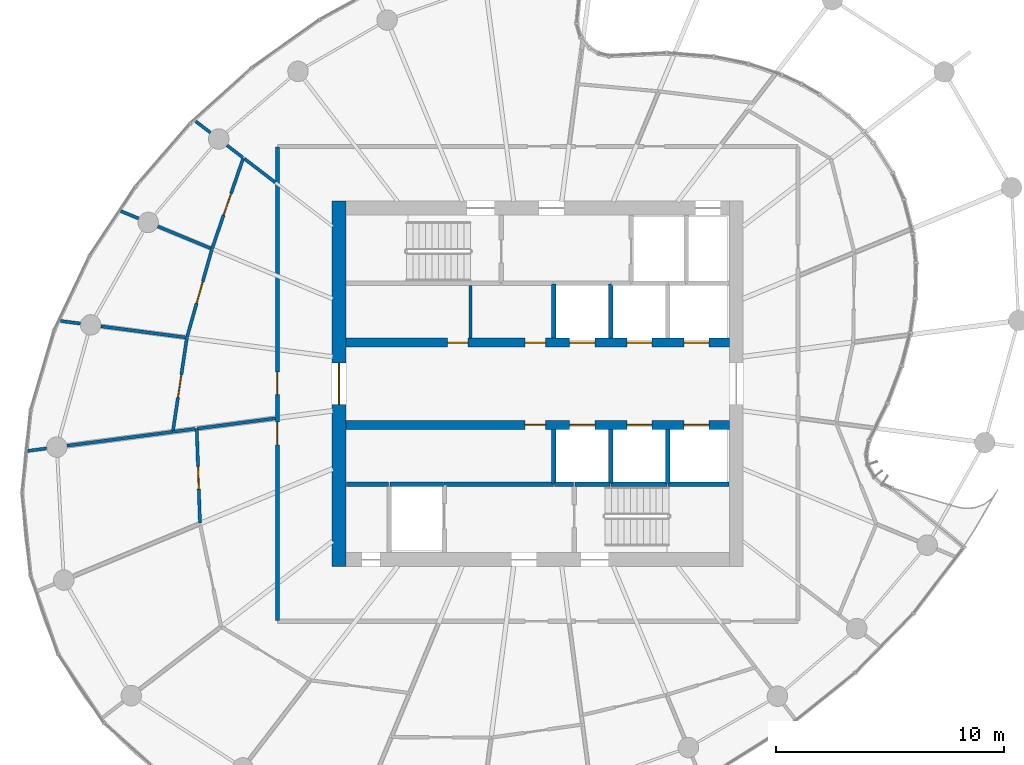
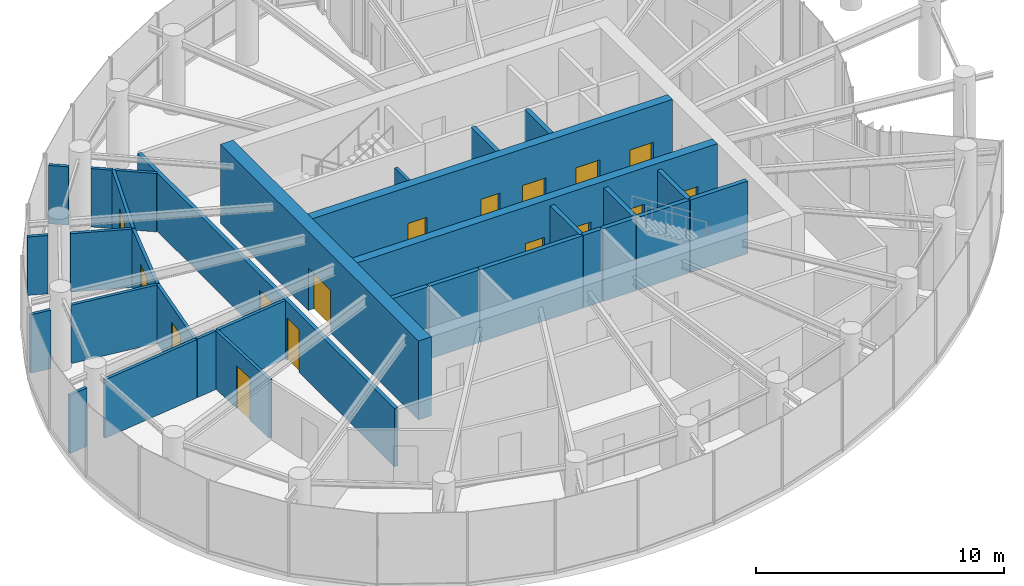
# One storey, part 13 of 17: 32 walls, 16 doors, 16 openings.
"""IFC4 building model written with IfcOpenShell, lengths in metres."""

import ifcopenshell
import ifcopenshell.guid

model = None  # the IFC model being written
_history = None  # IfcOwnerHistory: only IFC2X3 demands one
_inside = {}  # id of a spatial element -> (the spatial element, [elements in it])
_under = {}  # id of a project, library or spatial element -> (it, [spatial elements below it])
_declared = {}  # id of a project -> (the project, [libraries it declares])
_typed = {}  # id of a type object -> (the type object, [elements of that type])
_made_of = {}  # id of a material, layer set ... -> (it, [elements and type objects made of it])


def new_model(schema):
    """Start an empty IFC model of exactly this schema.

    Asked for "IFC4X3", IfcOpenShell would pick the latest addendum, in which some entities
    have other attributes; the version numbers below select the first issue.
    IFC2X3 requires an IfcOwnerHistory on every rooted entity: one is made here for all.
    """
    global model, _history
    if schema == "IFC4X3":
        model = ifcopenshell.file(schema_version=(4, 3, 0, 0))
    else:
        model = ifcopenshell.file(schema=schema)
    _inside.clear()
    _under.clear()
    _declared.clear()
    _typed.clear()
    _made_of.clear()
    _history = None
    if model.schema == "IFC2X3":
        org = make("IfcOrganization", Name="unknown")
        user = make(
            "IfcPersonAndOrganization",
            ThePerson=make("IfcPerson", FamilyName="unknown"),
            TheOrganization=org,
        )
        app = make(
            "IfcApplication",
            ApplicationDeveloper=org,
            Version="unknown",
            ApplicationFullName="unknown",
            ApplicationIdentifier="unknown",
        )
        _history = make(
            "IfcOwnerHistory",
            OwningUser=user,
            OwningApplication=app,
            ChangeAction="ADDED",
            CreationDate=0,
        )
    return model


def make(cls, **values):
    """One entity of the class cls with the attributes given. An attribute that is None is left unset."""
    return model.create_entity(
        cls, **{name: value for name, value in values.items() if value is not None}
    )


def rooted(cls, **values):
    """An entity with a GlobalId (a new one), such as an element, a storey or a relation."""
    return make(cls, GlobalId=ifcopenshell.guid.new(), OwnerHistory=_history, **values)


def si_unit(unit_type, name, prefix=None):
    """IfcSIUnit, for example si_unit("LENGTHUNIT", "METRE", prefix="MILLI")."""
    return make("IfcSIUnit", UnitType=unit_type, Prefix=prefix, Name=name)


def assignment(units):
    """IfcUnitAssignment: the units of a project."""
    return None if units is None else make("IfcUnitAssignment", Units=units)


def point(xyz):
    """IfcCartesianPoint."""
    return None if xyz is None else make("IfcCartesianPoint", Coordinates=xyz)


def direction(xyz):
    """IfcDirection."""
    return None if xyz is None else make("IfcDirection", DirectionRatios=xyz)


def frame(location, z_axis=None, x_axis=None):
    """IfcAxis2Placement3D, a coordinate frame: its origin and axes. An axis left out is left unset."""
    return make(
        "IfcAxis2Placement3D",
        Location=point(location),
        Axis=direction(z_axis),
        RefDirection=direction(x_axis),
    )


def frame_2d(location, x_axis=None):
    """IfcAxis2Placement2D, a coordinate frame in the plane: its origin and x axis."""
    return make(
        "IfcAxis2Placement2D", Location=point(location), RefDirection=direction(x_axis)
    )


def origin():
    """The frame at (0, 0, 0) with its axes left unset."""
    return frame((0.0, 0.0, 0.0))


def place(relative_to, where):
    """IfcLocalPlacement: puts the frame where relative to a parent placement (None: the world)."""
    return make(
        "IfcLocalPlacement", PlacementRelTo=relative_to, RelativePlacement=where
    )


def context(
    kind, dimensions, precision=None, world=None, true_north=None, identifier=None
):
    """IfcGeometricRepresentationContext, for example the 3D "Model" context."""
    return make(
        "IfcGeometricRepresentationContext",
        ContextIdentifier=identifier,
        ContextType=kind,
        CoordinateSpaceDimension=dimensions,
        Precision=precision,
        WorldCoordinateSystem=world,
        TrueNorth=true_north,
    )


def subcontext(parent, identifier, kind, view, scale=None):
    """IfcGeometricRepresentationSubContext, for example "Body" below "Model"."""
    return make(
        "IfcGeometricRepresentationSubContext",
        ContextIdentifier=identifier,
        ContextType=kind,
        ParentContext=parent,
        TargetScale=scale,
        TargetView=view,
    )


def project(units=None, contexts=None):
    """IfcProject with its units and contexts."""
    return rooted(
        "IfcProject",
        Name="project",
        RepresentationContexts=contexts,
        UnitsInContext=assignment(units),
    )


def spatial(cls, under=None, at=None, **own):
    """A site, building, storey or space (cls), placed at a placement, below another one or the project."""
    s = rooted(cls, ObjectPlacement=at, **own)
    if under is not None:
        _under.setdefault(under.id(), (under, []))[1].append(s)
    return s


def profile(cls, at=None, kind="AREA", **sizes):
    """A parametric profile (cls). Its sizes go by their IFC names, for example OverallWidth=200.0."""
    return make(cls, ProfileType=kind, Position=at, **sizes)


def rectangle(**sizes):
    """IfcRectangleProfileDef."""
    return profile("IfcRectangleProfileDef", **sizes)


def extrude(swept, where, along, depth):
    """IfcExtrudedAreaSolid: the profile swept, set in the frame where, extruded along a direction by depth."""
    return make(
        "IfcExtrudedAreaSolid",
        SweptArea=swept,
        Position=where,
        ExtrudedDirection=direction(along),
        Depth=depth,
    )


def shape(context_of_items, identifier, shape_type, items):
    """IfcShapeRepresentation: the items that make up one representation, for example the "Body"."""
    return make(
        "IfcShapeRepresentation",
        ContextOfItems=context_of_items,
        RepresentationIdentifier=identifier,
        RepresentationType=shape_type,
        Items=items,
    )


def source(mapping_origin, context_of_items, identifier, shape_type, items):
    """IfcRepresentationMap: a shape defined once, which mapped items show again and again."""
    return make(
        "IfcRepresentationMap",
        MappingOrigin=mapping_origin,
        MappedRepresentation=shape(context_of_items, identifier, shape_type, items),
    )


def transform(
    local_origin,
    x_axis=None,
    y_axis=None,
    z_axis=None,
    scale=None,
    scale2=None,
    scale3=None,
    uniform=True,
):
    """IfcCartesianTransformationOperator3D, or its non-uniform kind. x_axis, y_axis, z_axis: its Axis1, 2, 3."""
    if uniform:
        return make(
            "IfcCartesianTransformationOperator3D",
            Axis1=direction(x_axis),
            Axis2=direction(y_axis),
            LocalOrigin=point(local_origin),
            Scale=scale,
            Axis3=direction(z_axis),
        )
    return make(
        "IfcCartesianTransformationOperator3DnonUniform",
        Axis1=direction(x_axis),
        Axis2=direction(y_axis),
        LocalOrigin=point(local_origin),
        Scale=scale,
        Axis3=direction(z_axis),
        Scale2=scale2,
        Scale3=scale3,
    )


def mapped(mapping_source, mapping_target):
    """IfcMappedItem: shows the shape of a source again, moved by a transform."""
    return make(
        "IfcMappedItem", MappingSource=mapping_source, MappingTarget=mapping_target
    )


def material(Name=None, Category=None):
    """IfcMaterial."""
    return make("IfcMaterial", Name=Name, Category=Category)


def layer(
    of_material, thickness, ventilated=None, Name=None, Category=None, Priority=None
):
    """IfcMaterialLayer: one layer of a wall or slab, of a material (None: an air gap)."""
    return make(
        "IfcMaterialLayer",
        Material=of_material,
        LayerThickness=thickness,
        IsVentilated=ventilated,
        Name=Name,
        Category=Category,
        Priority=Priority,
    )


def layer_set(layers, Name=None):
    """IfcMaterialLayerSet."""
    return make("IfcMaterialLayerSet", MaterialLayers=layers, LayerSetName=Name)


def made_of(thing, what):
    """Note that an element or type object is made of a material, layer set ...; save() writes the relation."""
    if what is not None:
        _made_of.setdefault(what.id(), (what, []))[1].append(thing)
    return thing


def type_object(cls, material=None, **own):
    """A type object (cls), such as IfcWallType, which elements share."""
    return made_of(rooted(cls, **own), material)


def element(
    cls,
    number,
    at=None,
    inside=None,
    cuts=None,
    type_object=None,
    material=None,
    context=None,
    identifier="Body",
    shape_type=None,
    held_by="IfcProductDefinitionShape",
    body=None,
    shapes=None,
    **own,
):
    """One element of the class cls, such as IfcWall. Its Tag is "e" and its number.

    at: its placement. inside: the storey or other place that contains it. cuts: it is an
    opening in that element (IfcRelVoidsElement). A single representation is given by context,
    identifier, shape_type and body (its items); several are given by shapes. held_by: the class
    of the entity that holds the representations. save() writes the other relations.
    """
    e = rooted(cls, Tag="e%d" % number, ObjectPlacement=at, **own)
    if body is not None:
        shapes = [shape(context, identifier, shape_type, body)]
    if shapes is not None:
        e.Representation = make(held_by, Representations=shapes)
    if inside is not None:
        _inside.setdefault(inside.id(), (inside, []))[1].append(e)
    if cuts is not None:
        rooted(
            "IfcRelVoidsElement", RelatingBuildingElement=cuts, RelatedOpeningElement=e
        )
    if type_object is not None:
        _typed.setdefault(type_object.id(), (type_object, []))[1].append(e)
    return made_of(e, material)


def fill(opening, filler):
    """IfcRelFillsElement: the door or window that sits in an opening."""
    return rooted(
        "IfcRelFillsElement",
        RelatingOpeningElement=opening,
        RelatedBuildingElement=filler,
    )


def aggregate(whole, parts):
    """IfcRelAggregates: a whole, such as a stair, and the parts it consists of."""
    return rooted("IfcRelAggregates", RelatingObject=whole, RelatedObjects=parts)


def save(model, path):
    """Write the relations noted so far, then the file.

    IfcRelAggregates (storeys below a building ...), IfcRelContainedInSpatialStructure (elements
    in a storey), IfcRelDefinesByType, IfcRelAssociatesMaterial and IfcRelDeclares: one each for
    every whole, place, type object, material and project.
    """
    for whole, parts in _under.values():
        aggregate(whole, parts)
    for where, things in _inside.values():
        rooted(
            "IfcRelContainedInSpatialStructure",
            RelatedElements=things,
            RelatingStructure=where,
        )
    for kind, things in _typed.values():
        rooted("IfcRelDefinesByType", RelatedObjects=things, RelatingType=kind)
    for what, things in _made_of.values():
        rooted("IfcRelAssociatesMaterial", RelatedObjects=things, RelatingMaterial=what)
    for by, libraries in _declared.values():
        rooted("IfcRelDeclares", RelatingContext=by, RelatedDefinitions=libraries)
    model.write(path)


model = new_model("IFC4")

# Units and contexts
model_context = context("Model", 3, precision=1e-05, world=origin(), true_north=direction((0.0, 1.0)))
body_context = subcontext(model_context, "Body", "Model", "MODEL_VIEW")
ifc_project = project(units=[si_unit("LENGTHUNIT", "METRE"), si_unit("AREAUNIT", "SQUARE_METRE"), si_unit("VOLUMEUNIT", "CUBIC_METRE"), si_unit("PLANEANGLEUNIT", "RADIAN"), si_unit("MASSUNIT", "GRAM", prefix="KILO")], contexts=[model_context])

# Site, building, storey
site_placement = place(None, origin())
site = spatial("IfcSite", under=ifc_project, at=site_placement, CompositionType="ELEMENT")
building_placement = place(site_placement, origin())
building = spatial("IfcBuilding", under=site, at=building_placement, Name="Spindrift Exchange Tower", CompositionType="ELEMENT")
storey_placement = place(building_placement, frame((0.0, 0.0, 187.699951171875)))
storey = spatial("IfcBuildingStorey", under=building, at=storey_placement, Name="L45", CompositionType="ELEMENT", Elevation=187.699951171875)

# Wall, opening, door
ifc_material_1 = material(Name="Concrete 50 MPa", Category="concrete")
ifc_layer_1 = layer(ifc_material_1, 0.60009765625)
ifc_layer_set_1 = layer_set([ifc_layer_1], Name="RC Core Wall 600 Concrete 50 MPa")
wall_type_1 = type_object("IfcWallType", Name="RC Core Wall 600 Concrete 50 MPa", PredefinedType="SHEAR", material=ifc_layer_set_1)
wall_1_placement = place(storey_placement, frame((43.300048828125, 56.0, 0.0), z_axis=(0.0, 0.0, 1.0), x_axis=(0.0, -1.0, 0.0)))
wall_1 = element("IfcWall", 1, at=wall_1_placement, inside=storey, type_object=wall_type_1, Name="Core wall W L45", PredefinedType="SHEAR", context=body_context, shape_type="SweptSolid", body=[
    extrude(rectangle(XDim=16.0, YDim=0.60009765625, at=frame_2d((8.0, 0.0))), origin(), (0.0, 0.0, 1.0), 3.900146484375),
])
opening_1_placement = place(wall_1_placement, frame((7.10009765625, 0.0, 0.0)))
opening_1 = element("IfcOpeningElement", 2, at=opening_1_placement, cuts=wall_1, Name="Opening L45-D1", PredefinedType="OPENING", context=body_context, shape_type="SweptSolid", body=[
    extrude(rectangle(XDim=1.800048828125, YDim=2.10009765625, at=frame_2d((0.89990234375, 1.050048828125))), frame((0.0, 0.31005859375, 0.0), z_axis=(0.0, -1.0, 0.0), x_axis=(1.0, 0.0, 0.0)), (0.0, 0.0, 1.0), 0.6201171875),
])
ifc_material_2 = material(Name="Timber-core fire door", Category="wood")
door_type_1 = type_object("IfcDoorType", Name="DR-LOBBY-1800", OperationType="NOTDEFINED", PredefinedType="DOOR", material=ifc_material_2)
shared_shape_1 = source(origin(), body_context, "Body", "SweptSolid", [
    extrude(rectangle(XDim=1.800048828125, YDim=2.10009765625, at=frame_2d((0.89990234375, 1.050048828125))), frame((0.0, 0.02490234375, 0.0), z_axis=(0.0, -1.0, 0.0), x_axis=(1.0, 0.0, 0.0)), (0.0, 0.0, 1.0), 0.050048828125),
])
door_1_placement = place(opening_1_placement, origin())
door_1 = element("IfcDoor", 3, at=door_1_placement, inside=storey, type_object=door_type_1, Name="L45 Lobby door 1", OperationType="SINGLE_SWING_RIGHT", OverallHeight=2.10009765625, OverallWidth=1.800048828125, PredefinedType="DOOR", context=body_context, shape_type="MappedRepresentation", body=[
    mapped(shared_shape_1, transform((0.0, 0.0, 0.0), scale=1.0)),
])
fill(opening_1, door_1)

# Wall, openings, doors
ifc_layer_2 = layer(ifc_material_1, 0.39990234375)
ifc_layer_set_2 = layer_set([ifc_layer_2], Name="RC Spine Wall 400 Concrete 50 MPa")
wall_type_2 = type_object("IfcWallType", Name="RC Spine Wall 400 Concrete 50 MPa", PredefinedType="SHEAR", material=ifc_layer_set_2)
wall_2_placement = place(storey_placement, frame((43.60009765625, 49.800048828125, 0.0), z_axis=(0.0, 0.0, 1.0), x_axis=(1.0, 0.0, 0.0)))
wall_2 = element("IfcWall", 4, at=wall_2_placement, inside=storey, type_object=wall_type_2, Name="Core spine wall N L45", PredefinedType="SHEAR", context=body_context, shape_type="SweptSolid", body=[
    extrude(rectangle(XDim=16.7998046875, YDim=0.39990234375, at=frame_2d((8.39990234375, 0.0))), origin(), (0.0, 0.0, 1.0), 3.900146484375),
])
opening_2_placement = place(wall_2_placement, frame((9.800048828125, 0.0, 0.0)))
opening_2 = element("IfcOpeningElement", 5, at=opening_2_placement, cuts=wall_2, Name="Opening L45-D3", PredefinedType="OPENING", context=body_context, shape_type="SweptSolid", body=[
    extrude(rectangle(XDim=1.10009765625, YDim=2.10009765625, at=frame_2d((0.550048828125, 1.050048828125))), frame((0.0, 0.2099609375, 0.0), z_axis=(0.0, -1.0, 0.0), x_axis=(1.0, 0.0, 0.0)), (0.0, 0.0, 1.0), 0.419921875),
])
opening_3_placement = place(wall_2_placement, frame((12.300048828125, 0.0, 0.0)))
opening_3 = element("IfcOpeningElement", 6, at=opening_3_placement, cuts=wall_2, Name="Opening L45-D4", PredefinedType="OPENING", context=body_context, shape_type="SweptSolid", body=[
    extrude(rectangle(XDim=1.10009765625, YDim=2.10009765625, at=frame_2d((0.550048828125, 1.050048828125))), frame((0.0, 0.2099609375, 0.0), z_axis=(0.0, -1.0, 0.0), x_axis=(1.0, 0.0, 0.0)), (0.0, 0.0, 1.0), 0.419921875),
])
opening_4_placement = place(wall_2_placement, frame((14.800048828125, 0.0, 0.0)))
opening_4 = element("IfcOpeningElement", 7, at=opening_4_placement, cuts=wall_2, Name="Opening L45-D5", PredefinedType="OPENING", context=body_context, shape_type="SweptSolid", body=[
    extrude(rectangle(XDim=1.10009765625, YDim=2.10009765625, at=frame_2d((0.550048828125, 1.050048828125))), frame((0.0, 0.2099609375, 0.0), z_axis=(0.0, -1.0, 0.0), x_axis=(1.0, 0.0, 0.0)), (0.0, 0.0, 1.0), 0.419921875),
])
opening_5_placement = place(wall_2_placement, frame((4.449951171875, 0.0, 0.0)))
opening_5 = element("IfcOpeningElement", 8, at=opening_5_placement, cuts=wall_2, Name="Opening L45-D47", PredefinedType="OPENING", context=body_context, shape_type="SweptSolid", body=[
    extrude(rectangle(XDim=0.89990234375, YDim=2.10009765625, at=frame_2d((0.449951171875, 1.050048828125))), frame((0.0, 0.2099609375, 0.0), z_axis=(0.0, -1.0, 0.0), x_axis=(1.0, 0.0, 0.0)), (0.0, 0.0, 1.0), 0.419921875),
])
opening_6_placement = place(wall_2_placement, frame((7.85009765625, 0.0, 0.0)))
opening_6 = element("IfcOpeningElement", 9, at=opening_6_placement, cuts=wall_2, Name="Opening L45-D48", PredefinedType="OPENING", context=body_context, shape_type="SweptSolid", body=[
    extrude(rectangle(XDim=0.89990234375, YDim=2.10009765625, at=frame_2d((0.449951171875, 1.050048828125))), frame((0.0, 0.2099609375, 0.0), z_axis=(0.0, -1.0, 0.0), x_axis=(1.0, 0.0, 0.0)), (0.0, 0.0, 1.0), 0.419921875),
])
ifc_material_3 = material(Name="Stainless steel landing door", Category="steel")
door_type_2 = type_object("IfcDoorType", Name="DR-LANDING-1100-SL", OperationType="DOUBLE_DOOR_SLIDING", PredefinedType="USERDEFINED", material=ifc_material_3)
shared_shape_2 = source(origin(), body_context, "Body", "SweptSolid", [
    extrude(rectangle(XDim=1.10009765625, YDim=2.10009765625, at=frame_2d((0.550048828125, 1.050048828125))), frame((0.0, 0.02490234375, 0.0), z_axis=(0.0, -1.0, 0.0), x_axis=(1.0, 0.0, 0.0)), (0.0, 0.0, 1.0), 0.050048828125),
])
door_2_placement = place(opening_2_placement, origin())
door_2 = element("IfcDoor", 10, at=door_2_placement, inside=storey, type_object=door_type_2, Name="L45 Lift landing door 3", ObjectType="LANDING DOOR", OperationType="DOUBLE_DOOR_SLIDING", OverallHeight=2.10009765625, OverallWidth=1.10009765625, PredefinedType="USERDEFINED", context=body_context, shape_type="MappedRepresentation", body=[
    mapped(shared_shape_2, transform((0.0, 0.0, 0.0), scale=1.0)),
])
fill(opening_2, door_2)
door_3_placement = place(opening_3_placement, origin())
door_3 = element("IfcDoor", 11, at=door_3_placement, inside=storey, type_object=door_type_2, Name="L45 Lift landing door 4", ObjectType="LANDING DOOR", OperationType="DOUBLE_DOOR_SLIDING", OverallHeight=2.10009765625, OverallWidth=1.10009765625, PredefinedType="USERDEFINED", context=body_context, shape_type="MappedRepresentation", body=[
    mapped(shared_shape_2, transform((0.0, 0.0, 0.0), scale=1.0)),
])
fill(opening_3, door_3)
door_4_placement = place(opening_4_placement, origin())
door_4 = element("IfcDoor", 12, at=door_4_placement, inside=storey, type_object=door_type_2, Name="L45 Lift landing door 5", ObjectType="LANDING DOOR", OperationType="DOUBLE_DOOR_SLIDING", OverallHeight=2.10009765625, OverallWidth=1.10009765625, PredefinedType="USERDEFINED", context=body_context, shape_type="MappedRepresentation", body=[
    mapped(shared_shape_2, transform((0.0, 0.0, 0.0), scale=1.0)),
])
fill(opening_4, door_4)
ifc_material_4 = material(Name="Steel access door", Category="steel")
door_type_3 = type_object("IfcDoorType", Name="DR-RISER-900", OperationType="NOTDEFINED", PredefinedType="DOOR", material=ifc_material_4)
shared_shape_3 = source(origin(), body_context, "Body", "SweptSolid", [
    extrude(rectangle(XDim=0.89990234375, YDim=2.10009765625, at=frame_2d((0.449951171875, 1.050048828125))), frame((0.0, 0.02490234375, 0.0), z_axis=(0.0, -1.0, 0.0), x_axis=(1.0, 0.0, 0.0)), (0.0, 0.0, 1.0), 0.050048828125),
])
door_5_placement = place(opening_5_placement, origin())
door_5 = element("IfcDoor", 13, at=door_5_placement, inside=storey, type_object=door_type_3, Name="L45 Riser door 47", OperationType="SINGLE_SWING_LEFT", OverallHeight=2.10009765625, OverallWidth=0.89990234375, PredefinedType="DOOR", context=body_context, shape_type="MappedRepresentation", body=[
    mapped(shared_shape_3, transform((0.0, 0.0, 0.0), scale=1.0)),
])
fill(opening_5, door_5)
door_6_placement = place(opening_6_placement, origin())
door_6 = element("IfcDoor", 14, at=door_6_placement, inside=storey, type_object=door_type_3, Name="L45 Riser door 48", OperationType="SINGLE_SWING_RIGHT", OverallHeight=2.10009765625, OverallWidth=0.89990234375, PredefinedType="DOOR", context=body_context, shape_type="MappedRepresentation", body=[
    mapped(shared_shape_3, transform((0.0, 0.0, 0.0), scale=1.0)),
])
fill(opening_6, door_6)

wall_3_placement = place(storey_placement, frame((43.60009765625, 46.199951171875, 0.0), z_axis=(0.0, 0.0, 1.0), x_axis=(1.0, 0.0, 0.0)))
wall_3 = element("IfcWall", 15, at=wall_3_placement, inside=storey, type_object=wall_type_2, Name="Core spine wall S L45", PredefinedType="SHEAR", context=body_context, shape_type="SweptSolid", body=[
    extrude(rectangle(XDim=16.7998046875, YDim=0.39990234375, at=frame_2d((8.39990234375, 0.0))), origin(), (0.0, 0.0, 1.0), 3.900146484375),
])
opening_7_placement = place(wall_3_placement, frame((9.800048828125, 0.0, 0.0)))
opening_7 = element("IfcOpeningElement", 16, at=opening_7_placement, cuts=wall_3, Name="Opening L45-D6", PredefinedType="OPENING", context=body_context, shape_type="SweptSolid", body=[
    extrude(rectangle(XDim=1.10009765625, YDim=2.10009765625, at=frame_2d((0.550048828125, 1.050048828125))), frame((0.0, 0.2099609375, 0.0), z_axis=(0.0, -1.0, 0.0), x_axis=(1.0, 0.0, 0.0)), (0.0, 0.0, 1.0), 0.419921875),
])
opening_8_placement = place(wall_3_placement, frame((12.300048828125, 0.0, 0.0)))
opening_8 = element("IfcOpeningElement", 17, at=opening_8_placement, cuts=wall_3, Name="Opening L45-D7", PredefinedType="OPENING", context=body_context, shape_type="SweptSolid", body=[
    extrude(rectangle(XDim=1.10009765625, YDim=2.10009765625, at=frame_2d((0.550048828125, 1.050048828125))), frame((0.0, 0.2099609375, 0.0), z_axis=(0.0, -1.0, 0.0), x_axis=(1.0, 0.0, 0.0)), (0.0, 0.0, 1.0), 0.419921875),
])
opening_9_placement = place(wall_3_placement, frame((14.800048828125, 0.0, 0.0)))
opening_9 = element("IfcOpeningElement", 18, at=opening_9_placement, cuts=wall_3, Name="Opening L45-D8", PredefinedType="OPENING", context=body_context, shape_type="SweptSolid", body=[
    extrude(rectangle(XDim=1.10009765625, YDim=2.10009765625, at=frame_2d((0.550048828125, 1.050048828125))), frame((0.0, 0.2099609375, 0.0), z_axis=(0.0, -1.0, 0.0), x_axis=(1.0, 0.0, 0.0)), (0.0, 0.0, 1.0), 0.419921875),
])
opening_10_placement = place(wall_3_placement, frame((7.85009765625, 0.0, 0.0)))
opening_10 = element("IfcOpeningElement", 19, at=opening_10_placement, cuts=wall_3, Name="Opening L45-D49", PredefinedType="OPENING", context=body_context, shape_type="SweptSolid", body=[
    extrude(rectangle(XDim=0.89990234375, YDim=2.10009765625, at=frame_2d((0.449951171875, 1.050048828125))), frame((0.0, 0.2099609375, 0.0), z_axis=(0.0, -1.0, 0.0), x_axis=(1.0, 0.0, 0.0)), (0.0, 0.0, 1.0), 0.419921875),
])
door_7_placement = place(opening_7_placement, origin())
door_7 = element("IfcDoor", 20, at=door_7_placement, inside=storey, type_object=door_type_2, Name="L45 Lift landing door 6", ObjectType="LANDING DOOR", OperationType="DOUBLE_DOOR_SLIDING", OverallHeight=2.10009765625, OverallWidth=1.10009765625, PredefinedType="USERDEFINED", context=body_context, shape_type="MappedRepresentation", body=[
    mapped(shared_shape_2, transform((0.0, 0.0, 0.0), scale=1.0)),
])
fill(opening_7, door_7)
door_8_placement = place(opening_8_placement, origin())
door_8 = element("IfcDoor", 21, at=door_8_placement, inside=storey, type_object=door_type_2, Name="L45 Lift landing door 7", ObjectType="LANDING DOOR", OperationType="DOUBLE_DOOR_SLIDING", OverallHeight=2.10009765625, OverallWidth=1.10009765625, PredefinedType="USERDEFINED", context=body_context, shape_type="MappedRepresentation", body=[
    mapped(shared_shape_2, transform((0.0, 0.0, 0.0), scale=1.0)),
])
fill(opening_8, door_8)
door_9_placement = place(opening_9_placement, origin())
door_9 = element("IfcDoor", 22, at=door_9_placement, inside=storey, type_object=door_type_2, Name="L45 Lift landing door 8", ObjectType="LANDING DOOR", OperationType="DOUBLE_DOOR_SLIDING", OverallHeight=2.10009765625, OverallWidth=1.10009765625, PredefinedType="USERDEFINED", context=body_context, shape_type="MappedRepresentation", body=[
    mapped(shared_shape_2, transform((0.0, 0.0, 0.0), scale=1.0)),
])
fill(opening_9, door_9)
door_10_placement = place(opening_10_placement, origin())
door_10 = element("IfcDoor", 23, at=door_10_placement, inside=storey, type_object=door_type_3, Name="L45 Riser door 49", OperationType="SINGLE_SWING_LEFT", OverallHeight=2.10009765625, OverallWidth=0.89990234375, PredefinedType="DOOR", context=body_context, shape_type="MappedRepresentation", body=[
    mapped(shared_shape_3, transform((0.0, 0.0, 0.0), scale=1.0)),
])
fill(opening_10, door_10)

ifc_material_5 = material(Name="Fire-rated plasterboard partition", Category="gypsum")
ifc_layer_3 = layer(ifc_material_5, 0.179931640625)
ifc_layer_set_3 = layer_set([ifc_layer_3], Name="W-CORR-180")
wall_type_3 = type_object("IfcWallType", Name="W-CORR-180", PredefinedType="PARTITIONING", material=ifc_layer_set_3)
wall_4_placement = place(storey_placement, frame((40.60009765625, 37.6298828125, 0.0), z_axis=(0.0, 0.0, 1.0), x_axis=(0.0, 1.0, 0.0)))
wall_4 = element("IfcWall", 24, at=wall_4_placement, inside=storey, type_object=wall_type_3, Name="L45 Partition wall 30", PredefinedType="PARTITIONING", context=body_context, shape_type="SweptSolid", body=[
    extrude(rectangle(XDim=20.740234375, YDim=0.179931640625, at=frame_2d((10.3701171875, 0.0))), origin(), (0.0, 0.0, 1.0), 2.880126953125),
])
opening_11_placement = place(wall_4_placement, frame((9.889892578125, 0.0, 0.0)))
opening_11 = element("IfcOpeningElement", 25, at=opening_11_placement, cuts=wall_4, Name="Opening L45-D25", PredefinedType="OPENING", context=body_context, shape_type="SweptSolid", body=[
    extrude(rectangle(XDim=1.0, YDim=2.10009765625, at=frame_2d((0.5, 1.050048828125))), frame((0.0, 0.099853515625, 0.0), z_axis=(0.0, -1.0, 0.0), x_axis=(1.0, 0.0, 0.0)), (0.0, 0.0, 1.0), 0.199951171875),
])
opening_12_placement = place(wall_4_placement, frame((7.68994140625, 0.0, 0.0)))
opening_12 = element("IfcOpeningElement", 26, at=opening_12_placement, cuts=wall_4, Name="Opening L45-D29", PredefinedType="OPENING", context=body_context, shape_type="SweptSolid", body=[
    extrude(rectangle(XDim=1.0, YDim=2.10009765625, at=frame_2d((0.5, 1.050048828125))), frame((0.0, 0.099853515625, 0.0), z_axis=(0.0, -1.0, 0.0), x_axis=(1.0, 0.0, 0.0)), (0.0, 0.0, 1.0), 0.199951171875),
])
door_type_4 = type_object("IfcDoorType", Name="DR-ROOM-1000", OperationType="NOTDEFINED", PredefinedType="DOOR", material=ifc_material_2)
shared_shape_4 = source(origin(), body_context, "Body", "SweptSolid", [
    extrude(rectangle(XDim=1.0, YDim=2.10009765625, at=frame_2d((0.5, 1.050048828125))), frame((0.0, 0.02490234375, 0.0), z_axis=(0.0, -1.0, 0.0), x_axis=(1.0, 0.0, 0.0)), (0.0, 0.0, 1.0), 0.050048828125),
])
door_11_placement = place(opening_11_placement, origin())
door_11 = element("IfcDoor", 27, at=door_11_placement, inside=storey, type_object=door_type_4, Name="L45 Door 25", OperationType="SINGLE_SWING_LEFT", OverallHeight=2.10009765625, OverallWidth=1.0, PredefinedType="DOOR", context=body_context, shape_type="MappedRepresentation", body=[
    mapped(shared_shape_4, transform((0.0, 0.0, 0.0), scale=1.0)),
])
fill(opening_11, door_11)
door_12_placement = place(opening_12_placement, origin())
door_12 = element("IfcDoor", 28, at=door_12_placement, inside=storey, type_object=door_type_4, Name="L45 Door 29", OperationType="SINGLE_SWING_LEFT", OverallHeight=2.10009765625, OverallWidth=1.0, PredefinedType="DOOR", context=body_context, shape_type="MappedRepresentation", body=[
    mapped(shared_shape_4, transform((0.0, 0.0, 0.0), scale=1.0)),
])
fill(opening_12, door_12)

# Wall
ifc_layer_4 = layer(ifc_material_5, 0.139892578125)
ifc_layer_set_4 = layer_set([ifc_layer_4], Name="W-PART-140")
wall_type_4 = type_object("IfcWallType", Name="W-PART-140", PredefinedType="PARTITIONING", material=ifc_layer_set_4)
wall_5_placement = place(storey_placement, frame((36.0205078125, 45.896240234375, 0.0), z_axis=(0.0, 0.0, 1.0), x_axis=(-0.991444688869, -0.130527502519, 0.0)))
element("IfcWall", 29, at=wall_5_placement, inside=storey, type_object=wall_type_4, Name="L45 Partition wall 33", PredefinedType="PARTITIONING", context=body_context, shape_type="SweptSolid", body=[
    extrude(rectangle(XDim=4.67236328125, YDim=0.139892578125, at=frame_2d((2.336181640625, 0.0))), origin(), (0.0, 0.0, 1.0), 2.880126953125),
])

# Wall, opening, door
wall_6_placement = place(storey_placement, frame((37.735595703125, 53.90869140625, 0.0), z_axis=(0.0, 0.0, 1.0), x_axis=(0.325372826871, 0.945585809715, 0.0)))
wall_6 = element("IfcWall", 30, at=wall_6_placement, inside=storey, type_object=wall_type_4, Name="L45 Partition wall 43", PredefinedType="PARTITIONING", context=body_context, shape_type="SweptSolid", body=[
    extrude(rectangle(XDim=4.2138671875, YDim=0.139892578125, at=frame_2d((2.10693359375, 0.0))), origin(), (0.0, 0.0, 1.0), 2.880126953125),
])
opening_13_placement = place(wall_6_placement, frame((1.564208984375, 0.0, 0.0)))
opening_13 = element("IfcOpeningElement", 31, at=opening_13_placement, cuts=wall_6, Name="Opening L45-D26", PredefinedType="OPENING", context=body_context, shape_type="SweptSolid", body=[
    extrude(rectangle(XDim=1.0, YDim=2.10009765625, at=frame_2d((0.5, 1.050048828125))), frame((0.0, 0.079833984375, 0.0), z_axis=(0.0, -1.0, 0.0), x_axis=(1.0, 0.0, 0.0)), (0.0, 0.0, 1.0), 0.159912109375),
])
door_13_placement = place(opening_13_placement, origin())
door_13 = element("IfcDoor", 32, at=door_13_placement, inside=storey, type_object=door_type_4, Name="L45 Door 26", OperationType="SINGLE_SWING_RIGHT", OverallHeight=2.10009765625, OverallWidth=1.0, PredefinedType="DOOR", context=body_context, shape_type="MappedRepresentation", body=[
    mapped(shared_shape_4, transform((0.0, 0.0, 0.0), scale=1.0)),
])
fill(opening_13, door_13)

wall_7_placement = place(storey_placement, frame((36.02490234375, 45.92578125, 0.0), z_axis=(0.0, 0.0, 1.0), x_axis=(0.147524764939, 0.989058362145, 0.0)))
wall_7 = element("IfcWall", 33, at=wall_7_placement, inside=storey, type_object=wall_type_4, Name="L45 Partition wall 44", PredefinedType="PARTITIONING", context=body_context, shape_type="SweptSolid", body=[
    extrude(rectangle(XDim=4.142333984375, YDim=0.139892578125, at=frame_2d((2.0712890625, 0.0))), origin(), (0.0, 0.0, 1.0), 2.880126953125),
])
opening_14_placement = place(wall_7_placement, frame((1.4921875, 0.0, 0.0)))
opening_14 = element("IfcOpeningElement", 34, at=opening_14_placement, cuts=wall_7, Name="Opening L45-D28", PredefinedType="OPENING", context=body_context, shape_type="SweptSolid", body=[
    extrude(rectangle(XDim=1.0, YDim=2.10009765625, at=frame_2d((0.5, 1.050048828125))), frame((0.0, 0.079833984375, 0.0), z_axis=(0.0, -1.0, 0.0), x_axis=(1.0, 0.0, 0.0)), (0.0, 0.0, 1.0), 0.159912109375),
])
door_14_placement = place(opening_14_placement, origin())
door_14 = element("IfcDoor", 35, at=door_14_placement, inside=storey, type_object=door_type_4, Name="L45 Door 28", OperationType="SINGLE_SWING_RIGHT", OverallHeight=2.10009765625, OverallWidth=1.0, PredefinedType="DOOR", context=body_context, shape_type="MappedRepresentation", body=[
    mapped(shared_shape_4, transform((0.0, 0.0, 0.0), scale=1.0)),
])
fill(opening_14, door_14)

wall_8_placement = place(storey_placement, frame((37.207763671875, 41.9033203125, 0.0), z_axis=(0.0, 0.0, 1.0), x_axis=(-0.034201859053, 0.999414945274, 0.0)))
wall_8 = element("IfcWall", 36, at=wall_8_placement, inside=storey, type_object=wall_type_4, Name="L45 Partition wall 46", PredefinedType="PARTITIONING", context=body_context, shape_type="SweptSolid", body=[
    extrude(rectangle(XDim=4.133056640625, YDim=0.139892578125, at=frame_2d((2.06640625, 0.0))), origin(), (0.0, 0.0, 1.0), 2.880126953125),
])
opening_15_placement = place(wall_8_placement, frame((1.483154296875, 0.0, 0.0)))
opening_15 = element("IfcOpeningElement", 37, at=opening_15_placement, cuts=wall_8, Name="Opening L45-D30", PredefinedType="OPENING", context=body_context, shape_type="SweptSolid", body=[
    extrude(rectangle(XDim=1.0, YDim=2.10009765625, at=frame_2d((0.5, 1.050048828125))), frame((0.0, 0.079833984375, 0.0), z_axis=(0.0, -1.0, 0.0), x_axis=(1.0, 0.0, 0.0)), (0.0, 0.0, 1.0), 0.159912109375),
])
door_15_placement = place(opening_15_placement, origin())
door_15 = element("IfcDoor", 38, at=door_15_placement, inside=storey, type_object=door_type_4, Name="L45 Door 30", OperationType="SINGLE_SWING_RIGHT", OverallHeight=2.10009765625, OverallWidth=1.0, PredefinedType="DOOR", context=body_context, shape_type="MappedRepresentation", body=[
    mapped(shared_shape_4, transform((0.0, 0.0, 0.0), scale=1.0)),
])
fill(opening_15, door_15)

wall_9_placement = place(storey_placement, frame((36.644287109375, 50.051513671875, 0.0), z_axis=(0.0, 0.0, 1.0), x_axis=(0.27222384034, 0.962233953231, 0.0)))
wall_9 = element("IfcWall", 39, at=wall_9_placement, inside=storey, type_object=wall_type_4, Name="L45 Partition wall 50", PredefinedType="PARTITIONING", context=body_context, shape_type="SweptSolid", body=[
    extrude(rectangle(XDim=3.978271484375, YDim=0.139892578125, at=frame_2d((1.9892578125, 0.0))), origin(), (0.0, 0.0, 1.0), 2.880126953125),
])
opening_16_placement = place(wall_9_placement, frame((1.528564453125, 0.0, 0.0)))
opening_16 = element("IfcOpeningElement", 40, at=opening_16_placement, cuts=wall_9, Name="Opening L45-D27", PredefinedType="OPENING", context=body_context, shape_type="SweptSolid", body=[
    extrude(rectangle(XDim=1.0, YDim=2.10009765625, at=frame_2d((0.5, 1.050048828125))), frame((0.0, 0.079833984375, 0.0), z_axis=(0.0, -1.0, 0.0), x_axis=(1.0, 0.0, 0.0)), (0.0, 0.0, 1.0), 0.159912109375),
])
door_16_placement = place(opening_16_placement, origin())
door_16 = element("IfcDoor", 41, at=door_16_placement, inside=storey, type_object=door_type_4, Name="L45 Door 27", OperationType="SINGLE_SWING_LEFT", OverallHeight=2.10009765625, OverallWidth=1.0, PredefinedType="DOOR", context=body_context, shape_type="MappedRepresentation", body=[
    mapped(shared_shape_4, transform((0.0, 0.0, 0.0), scale=1.0)),
])
fill(opening_16, door_16)

# Walls
wall_10_placement = place(storey_placement, frame((36.566650390625, 50.03173828125, 0.0), z_axis=(0.0, 0.0, 1.0), x_axis=(-0.991441588662, 0.130551048524, 0.0)))
element("IfcWall", 42, at=wall_10_placement, inside=storey, type_object=wall_type_4, Name="L45 Partition wall 53", PredefinedType="PARTITIONING", context=body_context, shape_type="SweptSolid", body=[
    extrude(rectangle(XDim=3.72900390625, YDim=0.139892578125, at=frame_2d((1.864501953125, 0.0))), origin(), (0.0, 0.0, 1.0), 2.880126953125),
])
wall_11_placement = place(storey_placement, frame((40.510009765625, 46.4873046875, 0.0), z_axis=(0.0, 0.0, 1.0), x_axis=(-0.991443915104, -0.130533379654, 0.0)))
element("IfcWall", 43, at=wall_11_placement, inside=storey, type_object=wall_type_4, Name="L45 Partition wall 56", PredefinedType="PARTITIONING", context=body_context, shape_type="SweptSolid", body=[
    extrude(rectangle(XDim=3.443359375, YDim=0.139892578125, at=frame_2d((1.7216796875, 0.0))), origin(), (0.0, 0.0, 1.0), 2.880126953125),
])
wall_12_placement = place(storey_placement, frame((37.670654296875, 53.935302734375, 0.0), z_axis=(0.0, 0.0, 1.0), x_axis=(-0.923860896698, 0.382728420101, 0.0)))
element("IfcWall", 44, at=wall_12_placement, inside=storey, type_object=wall_type_4, Name="L45 Partition wall 61", PredefinedType="PARTITIONING", context=body_context, shape_type="SweptSolid", body=[
    extrude(rectangle(XDim=2.5, YDim=0.139892578125, at=frame_2d((1.25, 0.0))), origin(), (0.0, 0.0, 1.0), 2.880126953125),
])
wall_13_placement = place(storey_placement, frame((49.06005859375, 50.010009765625, 0.0), z_axis=(0.0, 0.0, 1.0), x_axis=(0.0, 1.0, 0.0)))
element("IfcWall", 45, at=wall_13_placement, inside=storey, type_object=wall_type_4, Name="L45 Partition wall 65", PredefinedType="PARTITIONING", context=body_context, shape_type="SweptSolid", body=[
    extrude(rectangle(XDim=2.2900390625, YDim=0.139892578125, at=frame_2d((1.14501953125, 0.0))), origin(), (0.0, 0.0, 1.0), 2.880126953125),
])
wall_14_placement = place(storey_placement, frame((40.510009765625, 56.816650390625, 0.0), z_axis=(0.0, 0.0, 1.0), x_axis=(-0.793383743535, 0.608721804681, 0.0)))
element("IfcWall", 46, at=wall_14_placement, inside=storey, type_object=wall_type_4, Name="L45 Partition wall 73", PredefinedType="PARTITIONING", context=body_context, shape_type="SweptSolid", body=[
    extrude(rectangle(XDim=1.69482421875, YDim=0.139892578125, at=frame_2d((0.847412109375, 0.0))), origin(), (0.0, 0.0, 1.0), 2.880126953125),
])
wall_15_placement = place(storey_placement, frame((36.99658203125, 46.02490234375, 0.0), z_axis=(0.0, 0.0, 1.0), x_axis=(-0.991425548732, -0.130672802528, 0.0)))
element("IfcWall", 47, at=wall_15_placement, inside=storey, type_object=wall_type_4, Name="L45 Partition wall 84", PredefinedType="PARTITIONING", context=body_context, shape_type="SweptSolid", body=[
    extrude(rectangle(XDim=0.954833984375, YDim=0.139892578125, at=frame_2d((0.4775390625, 0.0))), origin(), (0.0, 0.0, 1.0), 2.880126953125),
])
wall_16_placement = place(storey_placement, frame((39.0830078125, 57.91162109375, 0.0), z_axis=(0.0, 0.0, 1.0), x_axis=(-0.793381490019, 0.608724741814, 0.0)))
element("IfcWall", 48, at=wall_16_placement, inside=storey, type_object=wall_type_4, Name="L45 Partition wall 86", PredefinedType="PARTITIONING", context=body_context, shape_type="SweptSolid", body=[
    extrude(rectangle(XDim=0.8740234375, YDim=0.139892578125, at=frame_2d((0.43701171875, 0.0))), origin(), (0.0, 0.0, 1.0), 2.880126953125),
])
wall_17_placement = place(storey_placement, frame((31.968505859375, 50.63720703125, 0.0), z_axis=(0.0, 0.0, 1.0), x_axis=(-0.991462846373, 0.130389509788, 0.0)))
element("IfcWall", 49, at=wall_17_placement, inside=storey, type_object=wall_type_4, Name="L45 Partition wall 87", PredefinedType="PARTITIONING", context=body_context, shape_type="SweptSolid", body=[
    extrude(rectangle(XDim=0.87451171875, YDim=0.139892578125, at=frame_2d((0.437255859375, 0.0))), origin(), (0.0, 0.0, 1.0), 2.880126953125),
])
wall_18_placement = place(storey_placement, frame((30.487060546875, 45.167724609375, 0.0), z_axis=(0.0, 0.0, 1.0), x_axis=(-0.991452381322, -0.130469059822, 0.0)))
element("IfcWall", 50, at=wall_18_placement, inside=storey, type_object=wall_type_4, Name="L45 Partition wall 88", PredefinedType="PARTITIONING", context=body_context, shape_type="SweptSolid", body=[
    extrude(rectangle(XDim=0.8681640625, YDim=0.139892578125, at=frame_2d((0.43408203125, 0.0))), origin(), (0.0, 0.0, 1.0), 2.880126953125),
])
wall_19_placement = place(storey_placement, frame((34.520263671875, 55.240478515625, 0.0), z_axis=(0.0, 0.0, 1.0), x_axis=(-0.923967777062, 0.38247032166, 0.0)))
element("IfcWall", 51, at=wall_19_placement, inside=storey, type_object=wall_type_4, Name="L45 Partition wall 90", PredefinedType="PARTITIONING", context=body_context, shape_type="SweptSolid", body=[
    extrude(rectangle(XDim=0.848876953125, YDim=0.139892578125, at=frame_2d((0.42431640625, 0.0))), origin(), (0.0, 0.0, 1.0), 2.880126953125),
])
wall_20_placement = place(storey_placement, frame((37.66845703125, 58.9970703125, 0.0), z_axis=(0.0, 0.0, 1.0), x_axis=(-0.793336246331, 0.608783705644, 0.0)))
element("IfcWall", 52, at=wall_20_placement, inside=storey, type_object=wall_type_4, Name="L45 Partition wall 92", PredefinedType="PARTITIONING", context=body_context, shape_type="SweptSolid", body=[
    extrude(rectangle(XDim=0.81494140625, YDim=0.139892578125, at=frame_2d((0.407470703125, 0.0))), origin(), (0.0, 0.0, 1.0), 2.880126953125),
])
ifc_material_6 = material(Name="Concrete 40 MPa", Category="concrete")
ifc_layer_5 = layer(ifc_material_6, 0.199951171875)
ifc_layer_set_5 = layer_set([ifc_layer_5], Name="W-SHAFT-200")
wall_type_5 = type_object("IfcWallType", Name="W-SHAFT-200", PredefinedType="SOLIDWALL", material=ifc_layer_set_5)
wall_21_placement = place(storey_placement, frame((52.699951171875, 43.60009765625, 0.0), z_axis=(0.0, 0.0, 1.0), x_axis=(-1.0, 0.0, 0.0)))
element("IfcWall", 53, at=wall_21_placement, inside=storey, type_object=wall_type_5, Name="L45 Shaft wall 2", PredefinedType="SOLIDWALL", context=body_context, shape_type="SweptSolid", body=[
    extrude(rectangle(XDim=4.800048828125, YDim=0.199951171875, at=frame_2d((2.39990234375, 0.0))), origin(), (0.0, 0.0, 1.0), 3.580078125),
])
wall_22_placement = place(storey_placement, frame((47.8701171875, 43.60009765625, 0.0), z_axis=(0.0, 0.0, 1.0), x_axis=(-1.0, 0.0, 0.0)))
element("IfcWall", 54, at=wall_22_placement, inside=storey, type_object=wall_type_5, Name="L45 Shaft wall 12", PredefinedType="SOLIDWALL", context=body_context, shape_type="SweptSolid", body=[
    extrude(rectangle(XDim=2.340087890625, YDim=0.199951171875, at=frame_2d((1.169921875, 0.0))), origin(), (0.0, 0.0, 1.0), 3.580078125),
])
for number, where, z_axis, x_axis, name in (
    (55, (52.699951171875, 45.989990234375, 0.0), (0.0, 0.0, 1.0), (0.0, -1.0, 0.0), "L45 Shaft wall 13"),
    (56, (52.699951171875, 52.3701171875, 0.0), (0.0, 0.0, 1.0), (0.0, -1.0, 0.0), "L45 Shaft wall 14"),
    (57, (55.199951171875, 50.010009765625, 0.0), (0.0, 0.0, 1.0), (0.0, 1.0, 0.0), "L45 Shaft wall 16"),
):
    element("IfcWall", number, at=place(storey_placement, frame(where, z_axis=z_axis, x_axis=x_axis)), inside=storey, type_object=wall_type_5, Name=name, PredefinedType="SOLIDWALL", context=body_context, shape_type="SweptSolid", body=[
        extrude(rectangle(XDim=2.360107421875, YDim=0.199951171875, at=frame_2d((1.18017578125, 0.0))), origin(), (0.0, 0.0, 1.0), 3.580078125),
    ])
wall_23_placement = place(storey_placement, frame((45.469970703125, 43.60009765625, 0.0), z_axis=(0.0, 0.0, 1.0), x_axis=(-1.0, 0.0, 0.0)))
element("IfcWall", 58, at=wall_23_placement, inside=storey, type_object=wall_type_5, Name="L45 Shaft wall 20", PredefinedType="SOLIDWALL", context=body_context, shape_type="SweptSolid", body=[
    extrude(rectangle(XDim=1.849853515625, YDim=0.199951171875, at=frame_2d((0.9248046875, 0.0))), origin(), (0.0, 0.0, 1.0), 3.580078125),
])
ifc_layer_6 = layer(ifc_material_6, 0.199951171875)
ifc_layer_set_6 = layer_set([ifc_layer_6], Name="W-SHAFT-200-LB")
wall_type_6 = type_object("IfcWallType", Name="W-SHAFT-200-LB", PredefinedType="SOLIDWALL", material=ifc_layer_set_6)
wall_24_placement = place(storey_placement, frame((57.699951171875, 43.60009765625, 0.0), z_axis=(0.0, 0.0, 1.0), x_axis=(1.0, 0.0, 0.0)))
element("IfcWall", 59, at=wall_24_placement, inside=storey, type_object=wall_type_6, Name="L45 Shaft wall 9", PredefinedType="SOLIDWALL", context=body_context, shape_type="SweptSolid", body=[
    extrude(rectangle(XDim=2.679931640625, YDim=0.199951171875, at=frame_2d((1.33984375, 0.0))), origin(), (0.0, 0.0, 1.0), 3.580078125),
])
wall_25_placement = place(storey_placement, frame((55.199951171875, 43.60009765625, 0.0), z_axis=(0.0, 0.0, 1.0), x_axis=(1.0, 0.0, 0.0)))
element("IfcWall", 60, at=wall_25_placement, inside=storey, type_object=wall_type_6, Name="L45 Shaft wall 11", PredefinedType="SOLIDWALL", context=body_context, shape_type="SweptSolid", body=[
    extrude(rectangle(XDim=2.469970703125, YDim=0.199951171875, at=frame_2d((1.23486328125, 0.0))), origin(), (0.0, 0.0, 1.0), 3.580078125),
])
for number, where, z_axis, x_axis, name in (
    (61, (55.199951171875, 43.6298828125, 0.0), (0.0, 0.0, 1.0), (0.0, 1.0, 0.0), "L45 Shaft wall 15"),
    (62, (57.699951171875, 43.6298828125, 0.0), (0.0, 0.0, 1.0), (0.0, 1.0, 0.0), "L45 Shaft wall 17"),
):
    element("IfcWall", number, at=place(storey_placement, frame(where, z_axis=z_axis, x_axis=x_axis)), inside=storey, type_object=wall_type_6, Name=name, PredefinedType="SOLIDWALL", context=body_context, shape_type="SweptSolid", body=[
        extrude(rectangle(XDim=2.360107421875, YDim=0.199951171875, at=frame_2d((1.18017578125, 0.0))), origin(), (0.0, 0.0, 1.0), 3.580078125),
    ])
wall_26_placement = place(storey_placement, frame((53.6298828125, 43.60009765625, 0.0), z_axis=(0.0, 0.0, 1.0), x_axis=(1.0, 0.0, 0.0)))
element("IfcWall", 63, at=wall_26_placement, inside=storey, type_object=wall_type_6, Name="L45 Shaft wall 22", PredefinedType="SOLIDWALL", context=body_context, shape_type="SweptSolid", body=[
    extrude(rectangle(XDim=1.5400390625, YDim=0.199951171875, at=frame_2d((0.77001953125, 0.0))), origin(), (0.0, 0.0, 1.0), 3.580078125),
])
wall_27_placement = place(storey_placement, frame((52.72998046875, 43.60009765625, 0.0), z_axis=(0.0, 0.0, 1.0), x_axis=(1.0, 0.0, 0.0)))
element("IfcWall", 64, at=wall_27_placement, inside=storey, type_object=wall_type_6, Name="L45 Shaft wall 24", PredefinedType="SOLIDWALL", context=body_context, shape_type="SweptSolid", body=[
    extrude(rectangle(XDim=0.840087890625, YDim=0.199951171875, at=frame_2d((0.419921875, 0.0))), origin(), (0.0, 0.0, 1.0), 3.580078125),
])

save(model, "model.ifc")
